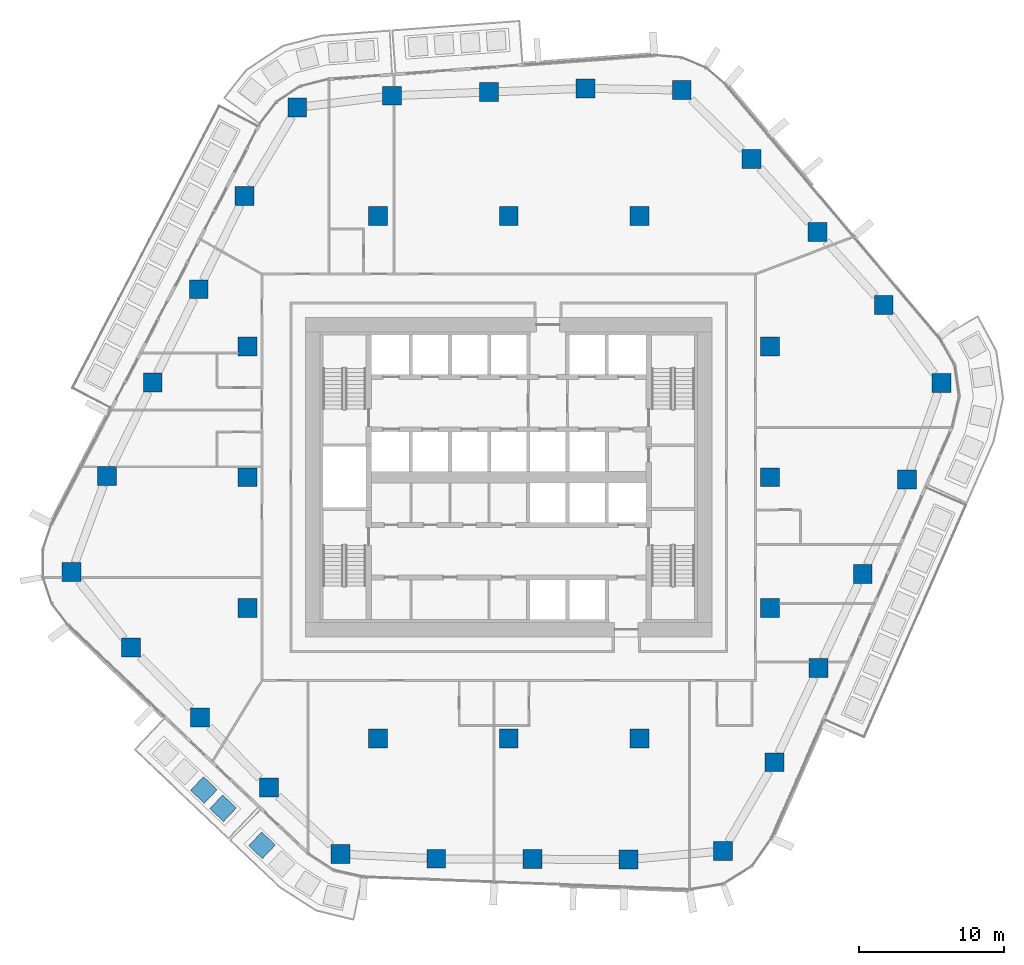
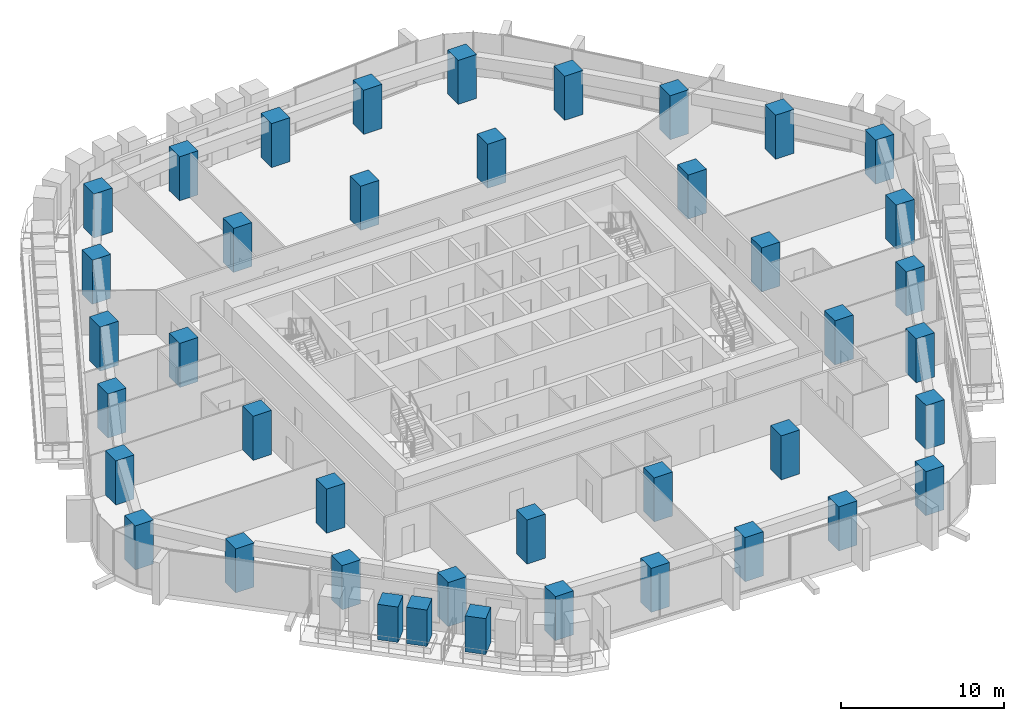
# One storey, part 1 of 23: 38 columns, 3 members.
"""IFC4 building model written with IfcOpenShell, lengths in metres."""

from ifc_helpers import new_model, si_unit, direction, frame, origin, origin_2d, place, context, subcontext, project, spatial, rectangle, extrude, material, material_profile, profile_set, type_object, element, save


model = new_model("IFC4")

# Units and contexts
model_context = context("Model", 3, precision=1e-05, world=origin(), true_north=direction((0.0, 1.0)))
body_context = subcontext(model_context, "Body", "Model", "MODEL_VIEW")
ifc_project = project(units=[si_unit("LENGTHUNIT", "METRE"), si_unit("AREAUNIT", "SQUARE_METRE"), si_unit("VOLUMEUNIT", "CUBIC_METRE"), si_unit("PLANEANGLEUNIT", "RADIAN"), si_unit("MASSUNIT", "GRAM", prefix="KILO")], contexts=[model_context])

# Site, building, storey
site_placement = place(None, origin())
site = spatial("IfcSite", under=ifc_project, at=site_placement, CompositionType="ELEMENT")
building_placement = place(site_placement, origin())
building = spatial("IfcBuilding", under=site, at=building_placement, Name="Dongbaek Canopy Tower", CompositionType="ELEMENT")
storey_placement = place(building_placement, frame((0.0, 0.0, 132.199951171875)))
storey = spatial("IfcBuildingStorey", under=building, at=storey_placement, Name="L29", CompositionType="ELEMENT", Elevation=132.199951171875)

# Columns
ifc_material_1 = material(Name="Concrete C80", Category="concrete")
ifc_material_profile_1 = material_profile(ifc_material_1, rectangle(XDim=1.300048828125, YDim=1.300048828125, at=origin_2d()), Name="RC COLUMN 1300x1300 C80")
ifc_profile_set_1 = profile_set([ifc_material_profile_1], Name="Concrete C80")
column_type = type_object("IfcColumnType", Name="RC COLUMN 1300x1300 C80", PredefinedType="COLUMN", material=ifc_profile_set_1)
for number, where, z_axis, x_axis, name in (
    (1, (14.760009765625, -25.7490234375, 0.0), (0.0, 0.0, 1.0), (1.0, 0.0, 0.0), "COL:CZ2-01:L29"),
    (2, (8.258056640625, -26.34912109375, 0.0), (0.0, 0.0, 1.0), (1.0, 0.0, 0.0), "COL:CZ2-02:L29"),
    (3, (1.62890625, -26.319091796875, 0.0), (0.0, 0.0, 1.0), (1.0, 0.0, 0.0), "COL:CZ2-03:L29"),
    (4, (-5.0, -26.2900390625, 0.0), (0.0, 0.0, 1.0), (1.0, 0.0, 0.0), "COL:CZ2-04:L29"),
    (5, (-11.59912109375, -25.966064453125, 0.0), (0.0, 0.0, 1.0), (1.0, 0.0, 0.0), "COL:CZ2-05:L29"),
    (6, (-16.532958984375, -21.376953125, 0.0), (0.0, 0.0, 1.0), (1.0, 0.0, 0.0), "COL:CZ2-06:L29"),
    (7, (-21.277099609375, -16.56005859375, 0.0), (0.0, 0.0, 1.0), (1.0, 0.0, 0.0), "COL:CZ2-07:L29"),
    (8, (-26.02099609375, -11.742919921875, 0.0), (0.0, 0.0, 1.0), (1.0, 0.0, 0.0), "COL:CZ2-08:L29"),
    (9, (-30.125, -6.527099609375, 0.0), (0.0, 0.0, 1.0), (1.0, 0.0, 0.0), "COL:CZ2-09:L29"),
    (10, (-27.693115234375, 0.0830078125, 0.0), (0.0, 0.0, 1.0), (1.0, 0.0, 0.0), "COL:CZ2-10:L29"),
    (11, (-24.529052734375, 6.51806640625, 0.0), (0.0, 0.0, 1.0), (1.0, 0.0, 0.0), "COL:CZ2-11:L29"),
    (12, (-21.364013671875, 12.951904296875, 0.0), (0.0, 0.0, 1.0), (1.0, 0.0, 0.0), "COL:CZ2-12:L29"),
    (13, (-18.198974609375, 19.385986328125, 0.0), (0.0, 0.0, 1.0), (1.0, 0.0, 0.0), "COL:CZ2-13:L29"),
    (14, (-14.575927734375, 25.471923828125, 0.0), (0.0, 0.0, 1.0), (1.0, 0.0, 0.0), "COL:CZ2-14:L29"),
    (15, (-8.041015625, 26.2880859375, 0.0), (0.0, 0.0, 1.0), (1.0, 0.0, 0.0), "COL:CZ2-15:L29"),
    (16, (-1.3720703125, 26.5439453125, 0.0), (0.0, 0.0, 1.0), (1.0, 0.0, 0.0), "COL:CZ2-16:L29"),
    (17, (5.294921875, 26.798095703125, 0.0), (0.0, 0.0, 1.0), (1.0, 0.0, 0.0), "COL:CZ2-17:L29"),
    (18, (11.9169921875, 26.674072265625, 0.0), (0.0, 0.0, 1.0), (1.0, 0.0, 0.0), "COL:CZ2-18:L29"),
    (19, (16.718017578125, 21.93505859375, 0.0), (0.0, 0.0, 1.0), (1.0, 0.0, 0.0), "COL:CZ2-19:L29"),
    (20, (21.280029296875, 16.89794921875, 0.0), (0.0, 0.0, 1.0), (1.0, 0.0, 0.0), "COL:CZ2-20:L29"),
    (21, (25.841064453125, 11.862060546875, 0.0), (0.0, 0.0, 1.0), (1.0, 0.0, 0.0), "COL:CZ2-21:L29"),
    (22, (29.81103515625, 6.48193359375, 0.0), (0.0, 0.0, 1.0), (1.0, 0.0, 0.0), "COL:CZ2-22:L29"),
    (23, (27.43603515625, -0.1650390625, 0.0), (0.0, 0.0, 1.0), (1.0, 0.0, 0.0), "COL:CZ2-23:L29"),
    (24, (24.39599609375, -6.656982421875, 0.0), (0.0, 0.0, 1.0), (1.0, 0.0, 0.0), "COL:CZ2-24:L29"),
    (25, (21.35595703125, -13.14990234375, 0.0), (0.0, 0.0, 1.0), (1.0, 0.0, 0.0), "COL:CZ2-25:L29"),
    (26, (18.31494140625, -19.64208984375, 0.0), (0.0, 0.0, 1.0), (1.0, 0.0, 0.0), "COL:CZ2-26:L29"),
    (27, (-18.0, -9.0, 0.0), (0.0, 0.0, 1.0), (1.0, 0.0, 0.0), "COL:CIZ2-01:L29"),
    (28, (-18.0, 0.0, 0.0), (0.0, 0.0, 1.0), (1.0, 0.0, 0.0), "COL:CIZ2-02:L29"),
    (29, (-18.0, 9.0, 0.0), (0.0, 0.0, 1.0), (1.0, 0.0, 0.0), "COL:CIZ2-03:L29"),
    (30, (-9.0, -18.0, 0.0), (0.0, 0.0, 1.0), (1.0, 0.0, 0.0), "COL:CIZ2-04:L29"),
    (31, (-9.0, 18.0, 0.0), (0.0, 0.0, 1.0), (1.0, 0.0, 0.0), "COL:CIZ2-05:L29"),
    (32, (0.0, -18.0, 0.0), (0.0, 0.0, 1.0), (1.0, 0.0, 0.0), "COL:CIZ2-06:L29"),
    (33, (0.0, 18.0, 0.0), (0.0, 0.0, 1.0), (1.0, 0.0, 0.0), "COL:CIZ2-07:L29"),
    (34, (9.0, -18.0, 0.0), (0.0, 0.0, 1.0), (1.0, 0.0, 0.0), "COL:CIZ2-08:L29"),
    (35, (9.0, 18.0, 0.0), (0.0, 0.0, 1.0), (1.0, 0.0, 0.0), "COL:CIZ2-09:L29"),
    (36, (18.0, -9.0, 0.0), (0.0, 0.0, 1.0), (1.0, 0.0, 0.0), "COL:CIZ2-10:L29"),
    (37, (18.0, 0.0, 0.0), (0.0, 0.0, 1.0), (1.0, 0.0, 0.0), "COL:CIZ2-11:L29"),
    (38, (18.0, 9.0, 0.0), (0.0, 0.0, 1.0), (1.0, 0.0, 0.0), "COL:CIZ2-12:L29"),
):
    element("IfcColumn", number, at=place(storey_placement, frame(where, z_axis=z_axis, x_axis=x_axis)), inside=storey, type_object=column_type, Name=name, PredefinedType="COLUMN", context=body_context, shape_type="SweptSolid", body=[
        extrude(rectangle(XDim=1.300048828125, YDim=1.300048828125, at=origin_2d()), origin(), (0.0, 0.0, 1.0), 3.300048828125),
    ])

# Members
ifc_material_2 = material(Name="Concrete C40/50 planter mass with planting", Category="concrete")
ifc_material_profile_2 = material_profile(ifc_material_2, rectangle(XDim=1.300048828125, YDim=1.300048828125, at=origin_2d()), Name="Terrace PLANTER shrub mass 1300 x 1300")
ifc_profile_set_2 = profile_set([ifc_material_profile_2], Name="Concrete C40/50 planter mass with planting")
member_type = type_object("IfcMemberType", Name="Terrace PLANTER shrub mass 1300 x 1300", PredefinedType="USERDEFINED", material=ifc_profile_set_2)
member_1_placement = place(storey_placement, frame((-21.0107421875, -21.55322265625, 0.420166015625), z_axis=(0.0, 0.0, 1.0), x_axis=(-0.689301871769, -0.724474243555, 0.0)))
element("IfcMember", 39, at=member_1_placement, inside=storey, type_object=member_type, Name="Planter shrubs L29 3.3", ObjectType="PLANTER", PredefinedType="USERDEFINED", context=body_context, shape_type="SweptSolid", body=[
    extrude(rectangle(XDim=1.300048828125, YDim=1.300048828125, at=origin_2d()), origin(), (0.0, 0.0, 1.0), 2.64990234375),
])
member_2_placement = place(storey_placement, frame((-19.685546875, -22.81396484375, 0.420166015625), z_axis=(0.0, 0.0, 1.0), x_axis=(-0.689301871769, -0.724474243555, 0.0)))
element("IfcMember", 40, at=member_2_placement, inside=storey, type_object=member_type, Name="Planter shrubs L29 3.4", ObjectType="PLANTER", PredefinedType="USERDEFINED", context=body_context, shape_type="SweptSolid", body=[
    extrude(rectangle(XDim=1.300048828125, YDim=1.300048828125, at=origin_2d()), origin(), (0.0, 0.0, 1.0), 2.72998046875),
])
member_3_placement = place(storey_placement, frame((-17.00048828125, -25.3662109375, 0.420166015625), z_axis=(0.0, 0.0, 1.0), x_axis=(-0.687975835492, -0.72573359422, 0.0)))
element("IfcMember", 41, at=member_3_placement, inside=storey, type_object=member_type, Name="Planter shrubs L29 7.1", ObjectType="PLANTER", PredefinedType="USERDEFINED", context=body_context, shape_type="SweptSolid", body=[
    extrude(rectangle(XDim=1.300048828125, YDim=1.300048828125, at=origin_2d()), origin(), (0.0, 0.0, 1.0), 2.68994140625),
])

save(model, "model.ifc")
